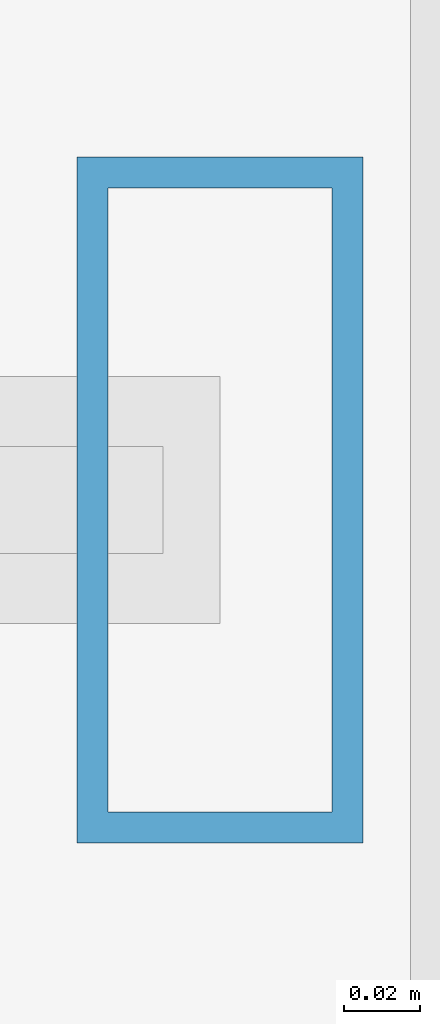
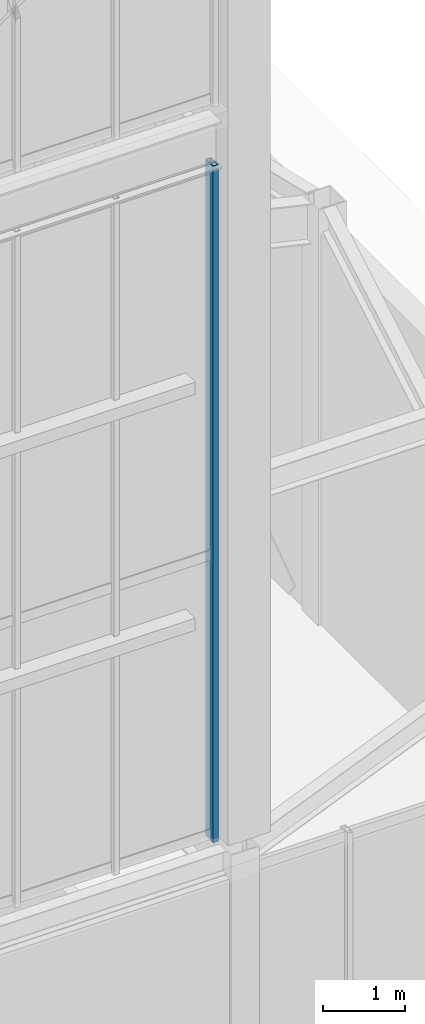
# One storey, part 43 of 135: 1 member, 1 element without a shape of its own.
"""IFC4 building model written with IfcOpenShell, lengths in metres."""

from ifc_helpers import new_model, si_unit, direction, frame, origin, origin_2d, place, context, subcontext, project, spatial, hollow_rectangle, extrude, source, transform, mapped, material, layer, layer_set, material_profile, profile_set, type_object, element, aggregate, save


model = new_model("IFC4")

# Units and contexts
model_context = context("Model", 3, precision=1e-05, world=origin(), true_north=direction((0.0, 1.0)))
body_context = subcontext(model_context, "Body", "Model", "MODEL_VIEW")
ifc_project = project(units=[si_unit("LENGTHUNIT", "METRE"), si_unit("AREAUNIT", "SQUARE_METRE"), si_unit("VOLUMEUNIT", "CUBIC_METRE"), si_unit("PLANEANGLEUNIT", "RADIAN"), si_unit("MASSUNIT", "GRAM", prefix="KILO")], contexts=[model_context])

# Site, building, storey
site_placement = place(None, origin())
site = spatial("IfcSite", under=ifc_project, at=site_placement, CompositionType="ELEMENT")
building_placement = place(site_placement, origin())
building = spatial("IfcBuilding", under=site, at=building_placement, Name="Giltprow Tower", CompositionType="ELEMENT")
storey_placement = place(building_placement, frame((0.0, 0.0, 352.699951171875)))
storey = spatial("IfcBuildingStorey", under=building, at=storey_placement, Name="L92", CompositionType="ELEMENT", Elevation=352.699951171875)

# Curtain wall, member
ifc_material = material(Name="Anodized bronze", Category="metal")
ifc_layer = layer(ifc_material, 0.179931640625, Name="Anodized bronze")
ifc_layer_set = layer_set([ifc_layer], Name="Anodized bronze")
curtain_wall_type = type_object("IfcCurtainWallType", Name="CW-CROWN-LANTERN", PredefinedType="NOTDEFINED", material=ifc_layer_set)
curtain_wall_placement = place(storey_placement, origin())
curtain_wall = element("IfcCurtainWall", 1, at=curtain_wall_placement, inside=storey, type_object=curtain_wall_type, Name="Crown East Lower Lantern Glazing 1", PredefinedType="NOTDEFINED")
ifc_material_profile = material_profile(ifc_material, hollow_rectangle(XDim=0.074951171875, YDim=0.179931640625, WallThickness=0.008056640625, at=origin_2d()), Name="RHS 180x75x8")
ifc_profile_set = profile_set([ifc_material_profile], Name="Anodized bronze")
member_type = type_object("IfcMemberType", Name="CW-MULLION-180x75", PredefinedType="MULLION", material=ifc_profile_set)
shared_shape = source(origin(), body_context, "Body", "SweptSolid", [
    extrude(hollow_rectangle(XDim=0.074951171875, YDim=0.179931640625, WallThickness=0.008056640625, at=origin_2d()), origin(), (0.0, 0.0, 1.0), 10.030029296875),
])
member_placement = place(storey_placement, frame((50.199951171875, 23.5, 6.35009765625), z_axis=(0.0, 0.0, 1.0), x_axis=(1.0, 0.0, 0.0)))
member = element("IfcMember", 2, at=member_placement, type_object=member_type, Name="Crown East Lower Lantern Glazing 1 Mullion 5", PredefinedType="MULLION", context=body_context, shape_type="MappedRepresentation", body=[
    mapped(shared_shape, transform((0.0, 0.0, 0.0), x_axis=(1.0, 0.0, 0.0), y_axis=(0.0, 1.0, 0.0), z_axis=(0.0, 0.0, 1.0), scale=1.0)),
])
aggregate(curtain_wall, [member])

save(model, "model.ifc")
